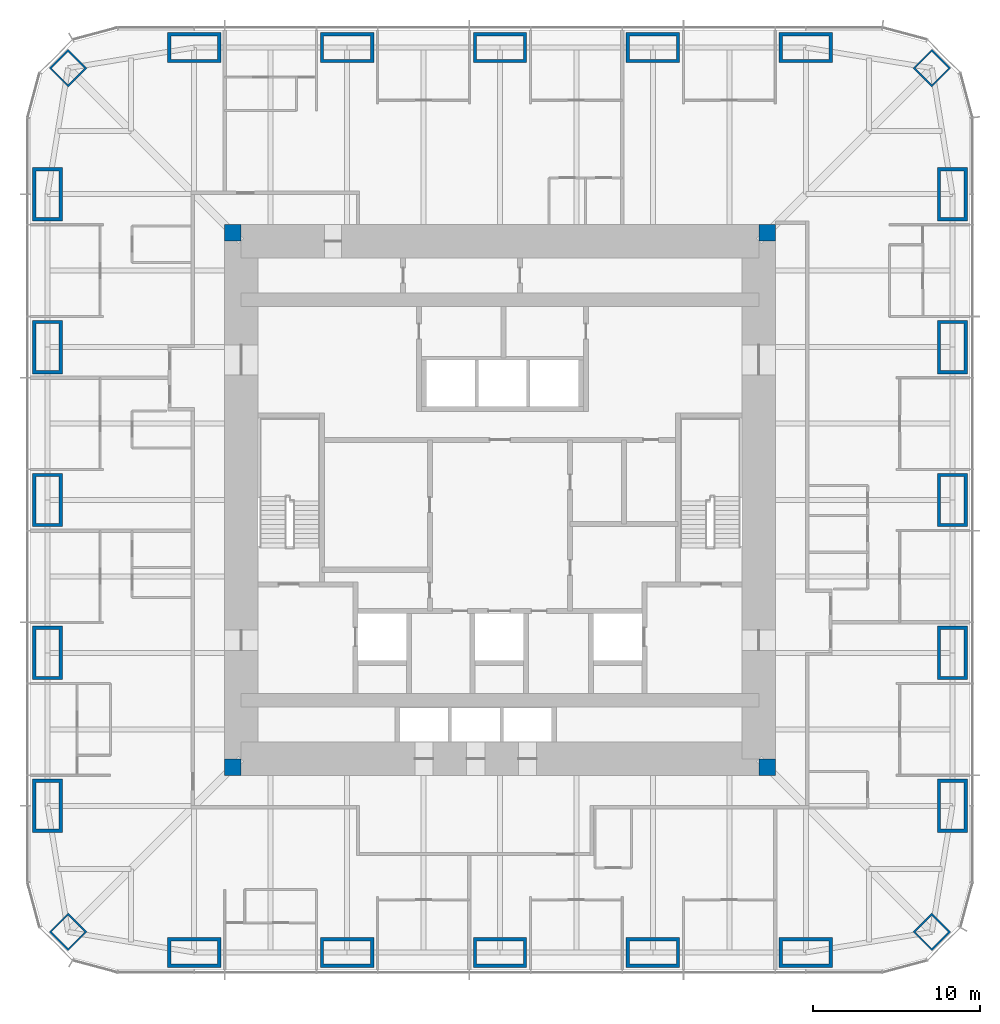
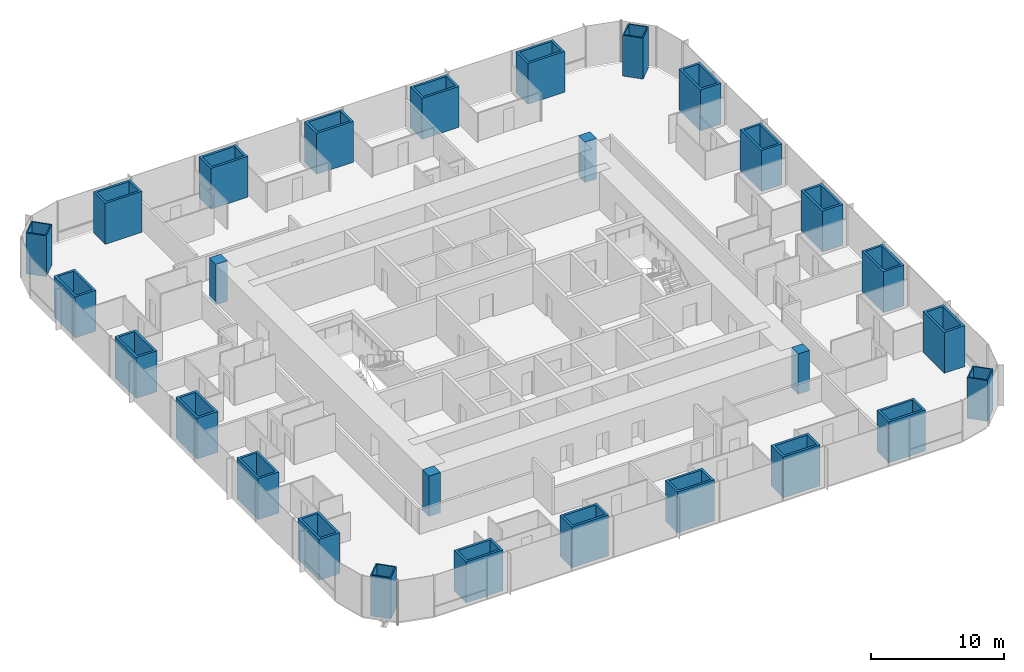
# One storey, part 1 of 12: 28 columns.
"""IFC4 building model written with IfcOpenShell, lengths in metres."""

from ifc_helpers import new_model, si_unit, direction, frame, origin, origin_2d, place, context, subcontext, project, spatial, rectangle, hollow_rectangle, extrude, material, material_profile, profile_set, type_object, element, save


model = new_model("IFC4")

# Units and contexts
model_context = context("Model", 3, precision=1e-05, world=origin(), true_north=direction((0.0, 1.0)))
body_context = subcontext(model_context, "Body", "Model", "MODEL_VIEW")
ifc_project = project(units=[si_unit("LENGTHUNIT", "METRE"), si_unit("AREAUNIT", "SQUARE_METRE"), si_unit("VOLUMEUNIT", "CUBIC_METRE"), si_unit("PLANEANGLEUNIT", "RADIAN"), si_unit("MASSUNIT", "GRAM", prefix="KILO")], contexts=[model_context])

# Site, building, storey
site_placement = place(None, origin())
site = spatial("IfcSite", under=ifc_project, at=site_placement, CompositionType="ELEMENT")
building_placement = place(site_placement, origin())
building = spatial("IfcBuilding", under=site, at=building_placement, Name="Khuree Lantern Residences", CompositionType="ELEMENT")
storey_placement = place(building_placement, frame((0.0, 0.0, 182.25)))
storey = spatial("IfcBuildingStorey", under=building, at=storey_placement, Name="L46", CompositionType="ELEMENT", Elevation=182.25)

# Columns
ifc_material_1 = material(Name="Steel S355 CFT welded box", Category="steel")
ifc_material_profile_1 = material_profile(ifc_material_1, hollow_rectangle(XDim=1.60009765625, YDim=1.60009765625, WallThickness=0.10009765625, at=origin_2d()), Name="WELDED BOX 1600X1600X100")
ifc_profile_set_1 = profile_set([ifc_material_profile_1], Name="Steel S355 CFT welded box")
column_type_1 = type_object("IfcColumnType", Name="CC1600 PERIMETER CORNER MEGA COLUMN WELDED BOX 1600X1600X100", PredefinedType="COLUMN", material=ifc_profile_set_1)
for number, where, z_axis, x_axis, name in (
    (1, (25.869873046875, 25.869873046875, 0.0), (0.0, 0.0, 1.0), (0.707106781187, -0.707106781187, 0.0), "Perimeter column NE"),
    (2, (25.869873046875, -25.869873046875, 0.0), (0.0, 0.0, 1.0), (0.707106781187, 0.707106781187, 0.0), "Perimeter column SE"),
    (3, (-25.869873046875, -25.869873046875, 0.0), (0.0, 0.0, 1.0), (0.707106781187, -0.707106781187, 0.0), "Perimeter column SW"),
    (4, (-25.869873046875, 25.869873046875, 0.0), (0.0, 0.0, 1.0), (0.707106781187, 0.707106781187, 0.0), "Perimeter column NW"),
):
    element("IfcColumn", number, at=place(storey_placement, frame(where, z_axis=z_axis, x_axis=x_axis)), inside=storey, type_object=column_type_1, Name=name, PredefinedType="COLUMN", context=body_context, shape_type="SweptSolid", body=[
        extrude(hollow_rectangle(XDim=1.60009765625, YDim=1.60009765625, WallThickness=0.10009765625, at=origin_2d()), origin(), (0.0, 0.0, 1.0), 3.75),
    ])
ifc_material_2 = material(Name="Concrete C70/85", Category="concrete")
ifc_material_profile_2 = material_profile(ifc_material_2, rectangle(XDim=1.0, YDim=1.0, at=origin_2d()), Name="RC 1000X1000")
ifc_profile_set_2 = profile_set([ifc_material_profile_2], Name="Concrete C70/85")
column_type_2 = type_object("IfcColumnType", Name="CP1000-C70 CORE CORNER PIER C70 RC 1000X1000", PredefinedType="COLUMN", material=ifc_profile_set_2)
for number, where, z_axis, x_axis, name in (
    (5, (16.0, 16.0, -0.25), (0.0, 0.0, 1.0), (1.0, 0.0, 0.0), "Core corner pier NE"),
    (6, (-16.0, 16.0, -0.25), (0.0, 0.0, 1.0), (1.0, 0.0, 0.0), "Core corner pier NW"),
    (7, (-16.0, -16.0, -0.25), (0.0, 0.0, 1.0), (1.0, 0.0, 0.0), "Core corner pier SW"),
    (8, (16.0, -16.0, -0.25), (0.0, 0.0, 1.0), (1.0, 0.0, 0.0), "Core corner pier SE"),
):
    element("IfcColumn", number, at=place(storey_placement, frame(where, z_axis=z_axis, x_axis=x_axis)), inside=storey, type_object=column_type_2, Name=name, PredefinedType="COLUMN", context=body_context, shape_type="SweptSolid", body=[
        extrude(rectangle(XDim=1.0, YDim=1.0, at=origin_2d()), origin(), (0.0, 0.0, 1.0), 3.699951171875),
    ])
ifc_material_profile_3 = material_profile(ifc_material_1, hollow_rectangle(XDim=3.199951171875, YDim=1.800048828125, WallThickness=0.199951171875, at=origin_2d()), Name="WELDED BOX 3200X1800X200")
ifc_profile_set_3 = profile_set([ifc_material_profile_3], Name="Steel S355 CFT welded box")
column_type_3 = type_object("IfcColumnType", Name="SC1 PERIMETER MEGA COLUMN WELDED BOX 3200X1800X200", PredefinedType="COLUMN", material=ifc_profile_set_3)
for number, where, z_axis, x_axis, name in (
    (9, (-18.320068359375, 27.10009765625, 0.0), (0.0, 0.0, 1.0), (1.0, 0.0, 0.0), "Perimeter column N1"),
    (10, (-9.159912109375, 27.10009765625, 0.0), (0.0, 0.0, 1.0), (1.0, 0.0, 0.0), "Perimeter column N2"),
    (11, (0.0, 27.10009765625, 0.0), (0.0, 0.0, 1.0), (1.0, 0.0, 0.0), "Perimeter column N3"),
    (12, (9.159912109375, 27.10009765625, 0.0), (0.0, 0.0, 1.0), (1.0, 0.0, 0.0), "Perimeter column N4"),
    (13, (18.320068359375, 27.10009765625, 0.0), (0.0, 0.0, 1.0), (1.0, 0.0, 0.0), "Perimeter column N5"),
    (14, (27.10009765625, 18.320068359375, 0.0), (0.0, 0.0, 1.0), (0.0, 1.0, 0.0), "Perimeter column E1"),
    (15, (27.10009765625, 9.159912109375, 0.0), (0.0, 0.0, 1.0), (0.0, 1.0, 0.0), "Perimeter column E2"),
    (16, (27.10009765625, 0.0, 0.0), (0.0, 0.0, 1.0), (0.0, 1.0, 0.0), "Perimeter column E3"),
    (17, (27.10009765625, -9.159912109375, 0.0), (0.0, 0.0, 1.0), (0.0, 1.0, 0.0), "Perimeter column E4"),
    (18, (27.10009765625, -18.320068359375, 0.0), (0.0, 0.0, 1.0), (0.0, 1.0, 0.0), "Perimeter column E5"),
    (19, (18.320068359375, -27.10009765625, 0.0), (0.0, 0.0, 1.0), (1.0, 0.0, 0.0), "Perimeter column S1"),
    (20, (9.159912109375, -27.10009765625, 0.0), (0.0, 0.0, 1.0), (1.0, 0.0, 0.0), "Perimeter column S2"),
    (21, (0.0, -27.10009765625, 0.0), (0.0, 0.0, 1.0), (1.0, 0.0, 0.0), "Perimeter column S3"),
    (22, (-9.159912109375, -27.10009765625, 0.0), (0.0, 0.0, 1.0), (1.0, 0.0, 0.0), "Perimeter column S4"),
    (23, (-18.320068359375, -27.10009765625, 0.0), (0.0, 0.0, 1.0), (1.0, 0.0, 0.0), "Perimeter column S5"),
    (24, (-27.10009765625, -18.320068359375, 0.0), (0.0, 0.0, 1.0), (0.0, 1.0, 0.0), "Perimeter column W1"),
    (25, (-27.10009765625, -9.159912109375, 0.0), (0.0, 0.0, 1.0), (0.0, 1.0, 0.0), "Perimeter column W2"),
    (26, (-27.10009765625, 0.0, 0.0), (0.0, 0.0, 1.0), (0.0, 1.0, 0.0), "Perimeter column W3"),
    (27, (-27.10009765625, 9.159912109375, 0.0), (0.0, 0.0, 1.0), (0.0, 1.0, 0.0), "Perimeter column W4"),
    (28, (-27.10009765625, 18.320068359375, 0.0), (0.0, 0.0, 1.0), (0.0, 1.0, 0.0), "Perimeter column W5"),
):
    element("IfcColumn", number, at=place(storey_placement, frame(where, z_axis=z_axis, x_axis=x_axis)), inside=storey, type_object=column_type_3, Name=name, PredefinedType="COLUMN", context=body_context, shape_type="SweptSolid", body=[
        extrude(hollow_rectangle(XDim=3.199951171875, YDim=1.800048828125, WallThickness=0.199951171875, at=origin_2d()), origin(), (0.0, 0.0, 1.0), 3.75),
    ])

save(model, "model.ifc")
